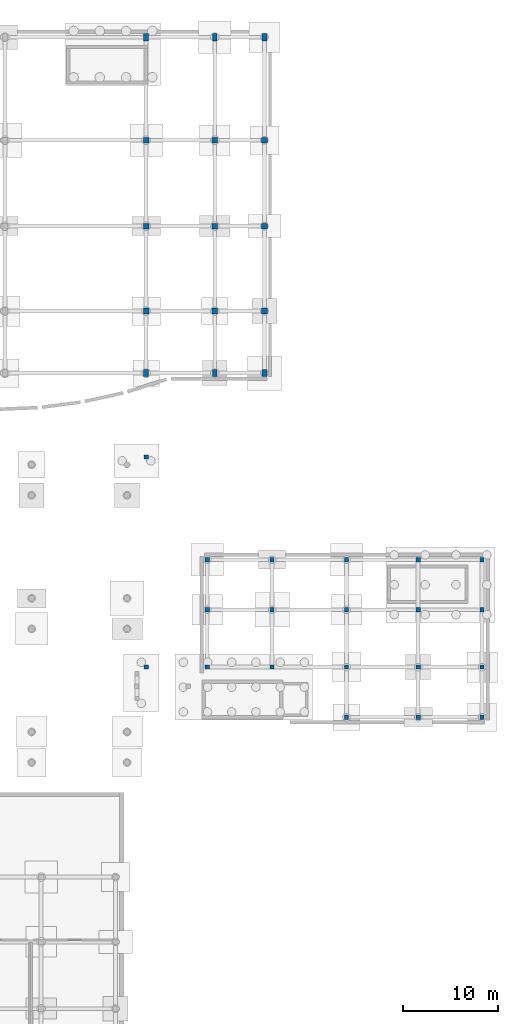
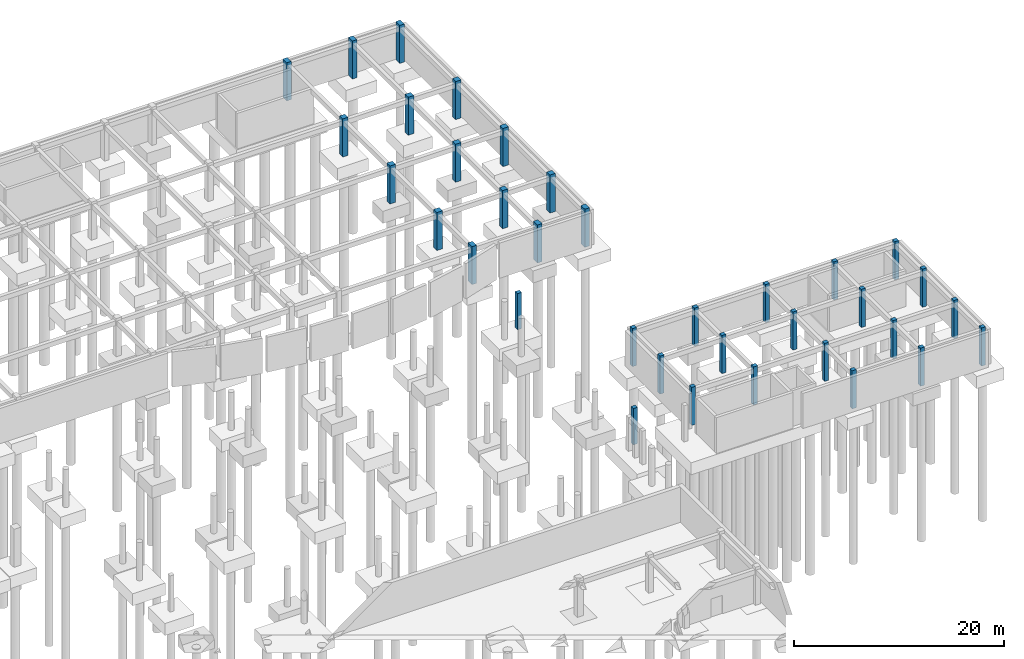
# One storey, part 9 of 22: 35 columns.
"""IFC4 building model written with IfcOpenShell, lengths in metres."""

import ifcopenshell
import ifcopenshell.guid

model = None  # the IFC model being written
_history = None  # IfcOwnerHistory: only IFC2X3 demands one
_inside = {}  # id of a spatial element -> (the spatial element, [elements in it])
_under = {}  # id of a project, library or spatial element -> (it, [spatial elements below it])
_declared = {}  # id of a project -> (the project, [libraries it declares])
_typed = {}  # id of a type object -> (the type object, [elements of that type])
_made_of = {}  # id of a material, layer set ... -> (it, [elements and type objects made of it])


def new_model(schema):
    """Start an empty IFC model of exactly this schema.

    Asked for "IFC4X3", IfcOpenShell would pick the latest addendum, in which some entities
    have other attributes; the version numbers below select the first issue.
    IFC2X3 requires an IfcOwnerHistory on every rooted entity: one is made here for all.
    """
    global model, _history
    if schema == "IFC4X3":
        model = ifcopenshell.file(schema_version=(4, 3, 0, 0))
    else:
        model = ifcopenshell.file(schema=schema)
    _inside.clear()
    _under.clear()
    _declared.clear()
    _typed.clear()
    _made_of.clear()
    _history = None
    if model.schema == "IFC2X3":
        org = make("IfcOrganization", Name="unknown")
        user = make(
            "IfcPersonAndOrganization",
            ThePerson=make("IfcPerson", FamilyName="unknown"),
            TheOrganization=org,
        )
        app = make(
            "IfcApplication",
            ApplicationDeveloper=org,
            Version="unknown",
            ApplicationFullName="unknown",
            ApplicationIdentifier="unknown",
        )
        _history = make(
            "IfcOwnerHistory",
            OwningUser=user,
            OwningApplication=app,
            ChangeAction="ADDED",
            CreationDate=0,
        )
    return model


def make(cls, **values):
    """One entity of the class cls with the attributes given. An attribute that is None is left unset."""
    return model.create_entity(
        cls, **{name: value for name, value in values.items() if value is not None}
    )


def rooted(cls, **values):
    """An entity with a GlobalId (a new one), such as an element, a storey or a relation."""
    return make(cls, GlobalId=ifcopenshell.guid.new(), OwnerHistory=_history, **values)


def si_unit(unit_type, name, prefix=None):
    """IfcSIUnit, for example si_unit("LENGTHUNIT", "METRE", prefix="MILLI")."""
    return make("IfcSIUnit", UnitType=unit_type, Prefix=prefix, Name=name)


def assignment(units):
    """IfcUnitAssignment: the units of a project."""
    return None if units is None else make("IfcUnitAssignment", Units=units)


def point(xyz):
    """IfcCartesianPoint."""
    return None if xyz is None else make("IfcCartesianPoint", Coordinates=xyz)


def direction(xyz):
    """IfcDirection."""
    return None if xyz is None else make("IfcDirection", DirectionRatios=xyz)


def frame(location, z_axis=None, x_axis=None):
    """IfcAxis2Placement3D, a coordinate frame: its origin and axes. An axis left out is left unset."""
    return make(
        "IfcAxis2Placement3D",
        Location=point(location),
        Axis=direction(z_axis),
        RefDirection=direction(x_axis),
    )


def frame_2d(location, x_axis=None):
    """IfcAxis2Placement2D, a coordinate frame in the plane: its origin and x axis."""
    return make(
        "IfcAxis2Placement2D", Location=point(location), RefDirection=direction(x_axis)
    )


def origin():
    """The frame at (0, 0, 0) with its axes left unset."""
    return frame((0.0, 0.0, 0.0))


def origin_2d():
    """The frame at (0, 0) in the plane with its x axis left unset."""
    return frame_2d((0.0, 0.0))


def place(relative_to, where):
    """IfcLocalPlacement: puts the frame where relative to a parent placement (None: the world)."""
    return make(
        "IfcLocalPlacement", PlacementRelTo=relative_to, RelativePlacement=where
    )


def context(
    kind, dimensions, precision=None, world=None, true_north=None, identifier=None
):
    """IfcGeometricRepresentationContext, for example the 3D "Model" context."""
    return make(
        "IfcGeometricRepresentationContext",
        ContextIdentifier=identifier,
        ContextType=kind,
        CoordinateSpaceDimension=dimensions,
        Precision=precision,
        WorldCoordinateSystem=world,
        TrueNorth=true_north,
    )


def subcontext(parent, identifier, kind, view, scale=None):
    """IfcGeometricRepresentationSubContext, for example "Body" below "Model"."""
    return make(
        "IfcGeometricRepresentationSubContext",
        ContextIdentifier=identifier,
        ContextType=kind,
        ParentContext=parent,
        TargetScale=scale,
        TargetView=view,
    )


def project(units=None, contexts=None):
    """IfcProject with its units and contexts."""
    return rooted(
        "IfcProject",
        Name="project",
        RepresentationContexts=contexts,
        UnitsInContext=assignment(units),
    )


def spatial(cls, under=None, at=None, **own):
    """A site, building, storey or space (cls), placed at a placement, below another one or the project."""
    s = rooted(cls, ObjectPlacement=at, **own)
    if under is not None:
        _under.setdefault(under.id(), (under, []))[1].append(s)
    return s


def profile(cls, at=None, kind="AREA", **sizes):
    """A parametric profile (cls). Its sizes go by their IFC names, for example OverallWidth=200.0."""
    return make(cls, ProfileType=kind, Position=at, **sizes)


def rectangle(**sizes):
    """IfcRectangleProfileDef."""
    return profile("IfcRectangleProfileDef", **sizes)


def extrude(swept, where, along, depth):
    """IfcExtrudedAreaSolid: the profile swept, set in the frame where, extruded along a direction by depth."""
    return make(
        "IfcExtrudedAreaSolid",
        SweptArea=swept,
        Position=where,
        ExtrudedDirection=direction(along),
        Depth=depth,
    )


def shape(context_of_items, identifier, shape_type, items):
    """IfcShapeRepresentation: the items that make up one representation, for example the "Body"."""
    return make(
        "IfcShapeRepresentation",
        ContextOfItems=context_of_items,
        RepresentationIdentifier=identifier,
        RepresentationType=shape_type,
        Items=items,
    )


def material(Name=None, Category=None):
    """IfcMaterial."""
    return make("IfcMaterial", Name=Name, Category=Category)


def material_profile(
    of_material, cross_section, Name=None, Category=None, Priority=None
):
    """IfcMaterialProfile: a cross section and its material."""
    return make(
        "IfcMaterialProfile",
        Name=Name,
        Material=of_material,
        Profile=cross_section,
        Priority=Priority,
        Category=Category,
    )


def profile_set(profiles, Name=None, composite=None):
    """IfcMaterialProfileSet."""
    return make(
        "IfcMaterialProfileSet",
        Name=Name,
        MaterialProfiles=profiles,
        CompositeProfile=composite,
    )


def made_of(thing, what):
    """Note that an element or type object is made of a material, layer set ...; save() writes the relation."""
    if what is not None:
        _made_of.setdefault(what.id(), (what, []))[1].append(thing)
    return thing


def type_object(cls, material=None, **own):
    """A type object (cls), such as IfcWallType, which elements share."""
    return made_of(rooted(cls, **own), material)


def element(
    cls,
    number,
    at=None,
    inside=None,
    cuts=None,
    type_object=None,
    material=None,
    context=None,
    identifier="Body",
    shape_type=None,
    held_by="IfcProductDefinitionShape",
    body=None,
    shapes=None,
    **own,
):
    """One element of the class cls, such as IfcWall. Its Tag is "e" and its number.

    at: its placement. inside: the storey or other place that contains it. cuts: it is an
    opening in that element (IfcRelVoidsElement). A single representation is given by context,
    identifier, shape_type and body (its items); several are given by shapes. held_by: the class
    of the entity that holds the representations. save() writes the other relations.
    """
    e = rooted(cls, Tag="e%d" % number, ObjectPlacement=at, **own)
    if body is not None:
        shapes = [shape(context, identifier, shape_type, body)]
    if shapes is not None:
        e.Representation = make(held_by, Representations=shapes)
    if inside is not None:
        _inside.setdefault(inside.id(), (inside, []))[1].append(e)
    if cuts is not None:
        rooted(
            "IfcRelVoidsElement", RelatingBuildingElement=cuts, RelatedOpeningElement=e
        )
    if type_object is not None:
        _typed.setdefault(type_object.id(), (type_object, []))[1].append(e)
    return made_of(e, material)


def aggregate(whole, parts):
    """IfcRelAggregates: a whole, such as a stair, and the parts it consists of."""
    return rooted("IfcRelAggregates", RelatingObject=whole, RelatedObjects=parts)


def save(model, path):
    """Write the relations noted so far, then the file.

    IfcRelAggregates (storeys below a building ...), IfcRelContainedInSpatialStructure (elements
    in a storey), IfcRelDefinesByType, IfcRelAssociatesMaterial and IfcRelDeclares: one each for
    every whole, place, type object, material and project.
    """
    for whole, parts in _under.values():
        aggregate(whole, parts)
    for where, things in _inside.values():
        rooted(
            "IfcRelContainedInSpatialStructure",
            RelatedElements=things,
            RelatingStructure=where,
        )
    for kind, things in _typed.values():
        rooted("IfcRelDefinesByType", RelatedObjects=things, RelatingType=kind)
    for what, things in _made_of.values():
        rooted("IfcRelAssociatesMaterial", RelatedObjects=things, RelatingMaterial=what)
    for by, libraries in _declared.values():
        rooted("IfcRelDeclares", RelatingContext=by, RelatedDefinitions=libraries)
    model.write(path)


model = new_model("IFC4")

# Units and contexts
model_context = context("Model", 3, precision=1e-05, world=origin(), true_north=direction((0.0, 1.0)))
body_context = subcontext(model_context, "Body", "Model", "MODEL_VIEW")
ifc_project = project(units=[si_unit("LENGTHUNIT", "METRE"), si_unit("AREAUNIT", "SQUARE_METRE"), si_unit("VOLUMEUNIT", "CUBIC_METRE"), si_unit("PLANEANGLEUNIT", "RADIAN"), si_unit("MASSUNIT", "GRAM", prefix="KILO")], contexts=[model_context])

# Site, building, storey
site_placement = place(None, origin())
site = spatial("IfcSite", under=ifc_project, at=site_placement, CompositionType="ELEMENT")
building_placement = place(site_placement, origin())
building = spatial("IfcBuilding", under=site, at=building_placement, Name="Valcora Specialist Clinic", CompositionType="ELEMENT")
storey_placement = place(building_placement, frame((0.0, 0.0, -4.419921875)))
storey = spatial("IfcBuildingStorey", under=building, at=storey_placement, Name="B1", CompositionType="ELEMENT", Elevation=-4.419921875)

# Columns
ifc_material = material(Name="Concrete C40/50", Category="concrete")
ifc_material_profile_1 = material_profile(ifc_material, rectangle(XDim=0.449951171875, YDim=0.449951171875, at=origin_2d()), Name="RC-COL-450X450")
ifc_profile_set_1 = profile_set([ifc_material_profile_1], Name="Concrete C40/50")
column_type_1 = type_object("IfcColumnType", Name="TY-COL-RC450", PredefinedType="COLUMN", material=ifc_profile_set_1)
for number, where, z_axis, x_axis, name in (
    (1, (132.39990234375, 44.0, 0.0), (0.0, 0.0, 1.0), (1.0, 0.0, 0.0), "Column COL-B1-0249"),
    (2, (132.39990234375, 50.0, 0.0), (0.0, 0.0, 1.0), (1.0, 0.0, 0.0), "Column COL-B1-0252"),
    (3, (132.39990234375, 55.25, 0.0), (0.0, 0.0, 1.0), (1.0, 0.0, 0.0), "Column COL-B1-0255"),
    (4, (139.199951171875, 44.0, 0.0), (0.0, 0.0, 1.0), (1.0, 0.0, 0.0), "Column COL-B1-0258"),
    (5, (139.199951171875, 50.0, 0.0), (0.0, 0.0, 1.0), (1.0, 0.0, 0.0), "Column COL-B1-0261"),
    (6, (139.199951171875, 55.25, 0.0), (0.0, 0.0, 1.0), (1.0, 0.0, 0.0), "Column COL-B1-0264"),
    (7, (147.0, 38.75, 0.0), (0.0, 0.0, 1.0), (1.0, 0.0, 0.0), "Column COL-B1-0267"),
    (8, (147.0, 44.0, 0.0), (0.0, 0.0, 1.0), (1.0, 0.0, 0.0), "Column COL-B1-0270"),
    (9, (147.0, 50.0, 0.0), (0.0, 0.0, 1.0), (1.0, 0.0, 0.0), "Column COL-B1-0272"),
    (10, (147.0, 55.25, 0.0), (0.0, 0.0, 1.0), (1.0, 0.0, 0.0), "Column COL-B1-0275"),
    (11, (154.5, 38.75, 0.0), (0.0, 0.0, 1.0), (1.0, 0.0, 0.0), "Column COL-B1-0278"),
    (12, (154.5, 44.0, 0.0), (0.0, 0.0, 1.0), (1.0, 0.0, 0.0), "Column COL-B1-0281"),
    (13, (154.5, 50.0, 0.0), (0.0, 0.0, 1.0), (1.0, 0.0, 0.0), "Column COL-B1-0283"),
    (14, (154.5, 55.25, 0.0), (0.0, 0.0, 1.0), (1.0, 0.0, 0.0), "Column COL-B1-0286"),
    (15, (161.199951171875, 38.75, 0.0), (0.0, 0.0, 1.0), (1.0, 0.0, 0.0), "Column COL-B1-0289"),
    (16, (161.199951171875, 44.0, 0.0), (0.0, 0.0, 1.0), (1.0, 0.0, 0.0), "Column COL-B1-0292"),
    (17, (161.199951171875, 50.0, 0.0), (0.0, 0.0, 1.0), (1.0, 0.0, 0.0), "Column COL-B1-0295"),
    (18, (161.199951171875, 55.25, 0.0), (0.0, 0.0, 1.0), (1.0, 0.0, 0.0), "Column COL-B1-0298"),
):
    element("IfcColumn", number, at=place(storey_placement, frame(where, z_axis=z_axis, x_axis=x_axis)), inside=storey, type_object=column_type_1, Name=name, PredefinedType="COLUMN", context=body_context, shape_type="SweptSolid", body=[
        extrude(rectangle(XDim=0.449951171875, YDim=0.449951171875, at=origin_2d()), origin(), (0.0, 0.0, 1.0), 4.419921875),
    ])
for number, where, z_axis, x_axis, name in (
    (19, (126.0, 44.0, 0.0), (0.0, 0.0, 1.0), (1.0, 0.0, 0.0), "Foundation support pier COL-APR-B1-021"),
    (20, (126.0, 66.0, 0.0), (0.0, 0.0, 1.0), (1.0, 0.0, 0.0), "Foundation support pier COL-APR-B1-022"),
):
    element("IfcColumn", number, at=place(storey_placement, frame(where, z_axis=z_axis, x_axis=x_axis)), inside=storey, type_object=column_type_1, Name=name, PredefinedType="COLUMN", context=body_context, shape_type="SweptSolid", body=[
        extrude(rectangle(XDim=0.449951171875, YDim=0.449951171875, at=origin_2d()), origin(), (0.0, 0.0, 1.0), 4.199951171875),
    ])
ifc_material_profile_2 = material_profile(ifc_material, rectangle(XDim=0.5, YDim=0.75, at=origin_2d()), Name="RC-COL-500X750")
ifc_profile_set_2 = profile_set([ifc_material_profile_2], Name="Concrete C40/50")
column_type_2 = type_object("IfcColumnType", Name="TY-COL-RC500X750", PredefinedType="COLUMN", material=ifc_profile_set_2)
for number, where, z_axis, x_axis, name in (
    (21, (126.0, 74.800048828125, 0.0), (0.0, 0.0, 1.0), (1.0, 0.0, 0.0), "Column COL-B1-0476"),
    (22, (126.0, 110.0, 0.0), (0.0, 0.0, 1.0), (1.0, 0.0, 0.0), "Column COL-B1-0496"),
    (23, (133.199951171875, 74.800048828125, 0.0), (0.0, 0.0, 1.0), (1.0, 0.0, 0.0), "Column COL-B1-0501"),
    (24, (133.199951171875, 110.0, 0.0), (0.0, 0.0, 1.0), (1.0, 0.0, 0.0), "Column COL-B1-0517"),
    (25, (138.39990234375, 74.800048828125, 0.0), (0.0, 0.0, 1.0), (1.0, 0.0, 0.0), "Column COL-B1-0521"),
    (26, (138.39990234375, 110.0, 0.0), (0.0, 0.0, 1.0), (1.0, 0.0, 0.0), "Column COL-B1-0533"),
):
    element("IfcColumn", number, at=place(storey_placement, frame(where, z_axis=z_axis, x_axis=x_axis)), inside=storey, type_object=column_type_2, Name=name, PredefinedType="COLUMN", context=body_context, shape_type="SweptSolid", body=[
        extrude(rectangle(XDim=0.5, YDim=0.75, at=origin_2d()), origin(), (0.0, 0.0, 1.0), 4.419921875),
    ])
ifc_material_profile_3 = material_profile(ifc_material, rectangle(XDim=0.60009765625, YDim=0.60009765625, at=origin_2d()), Name="RC-COL-600X600")
ifc_profile_set_3 = profile_set([ifc_material_profile_3], Name="Concrete C40/50")
column_type_3 = type_object("IfcColumnType", Name="TY-COL-RC600", PredefinedType="COLUMN", material=ifc_profile_set_3)
for number, where, z_axis, x_axis, name in (
    (27, (126.0, 81.300048828125, 0.0), (0.0, 0.0, 1.0), (1.0, 0.0, 0.0), "Column COL-B1-0481"),
    (28, (126.0, 90.199951171875, 0.0), (0.0, 0.0, 1.0), (1.0, 0.0, 0.0), "Column COL-B1-0486"),
    (29, (126.0, 99.199951171875, 0.0), (0.0, 0.0, 1.0), (1.0, 0.0, 0.0), "Column COL-B1-0491"),
    (30, (133.199951171875, 81.300048828125, 0.0), (0.0, 0.0, 1.0), (1.0, 0.0, 0.0), "Column COL-B1-0505"),
    (31, (133.199951171875, 90.199951171875, 0.0), (0.0, 0.0, 1.0), (1.0, 0.0, 0.0), "Column COL-B1-0509"),
    (32, (133.199951171875, 99.199951171875, 0.0), (0.0, 0.0, 1.0), (1.0, 0.0, 0.0), "Column COL-B1-0513"),
    (33, (138.39990234375, 81.300048828125, 0.0), (0.0, 0.0, 1.0), (1.0, 0.0, 0.0), "Column COL-B1-0524"),
    (34, (138.39990234375, 90.199951171875, 0.0), (0.0, 0.0, 1.0), (1.0, 0.0, 0.0), "Column COL-B1-0527"),
    (35, (138.39990234375, 99.199951171875, 0.0), (0.0, 0.0, 1.0), (1.0, 0.0, 0.0), "Column COL-B1-0530"),
):
    element("IfcColumn", number, at=place(storey_placement, frame(where, z_axis=z_axis, x_axis=x_axis)), inside=storey, type_object=column_type_3, Name=name, PredefinedType="COLUMN", context=body_context, shape_type="SweptSolid", body=[
        extrude(rectangle(XDim=0.60009765625, YDim=0.60009765625, at=origin_2d()), origin(), (0.0, 0.0, 1.0), 4.419921875),
    ])

save(model, "model.ifc")
